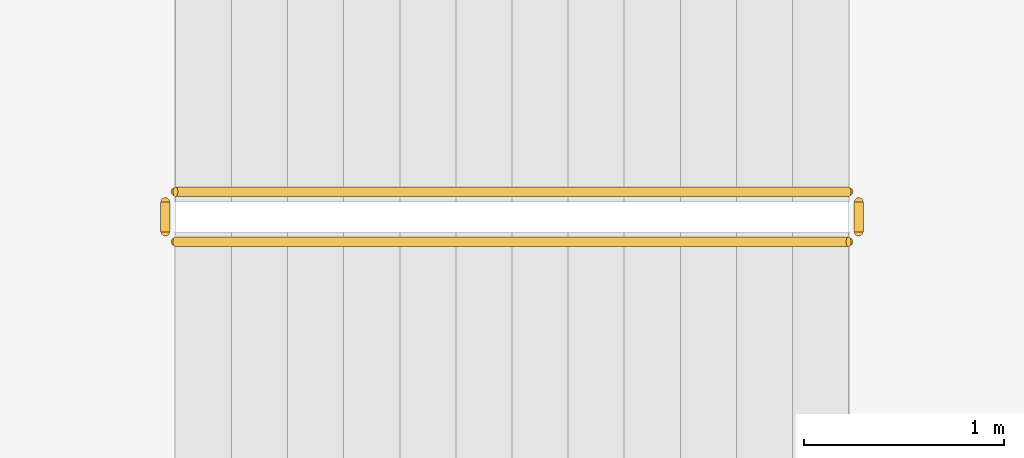
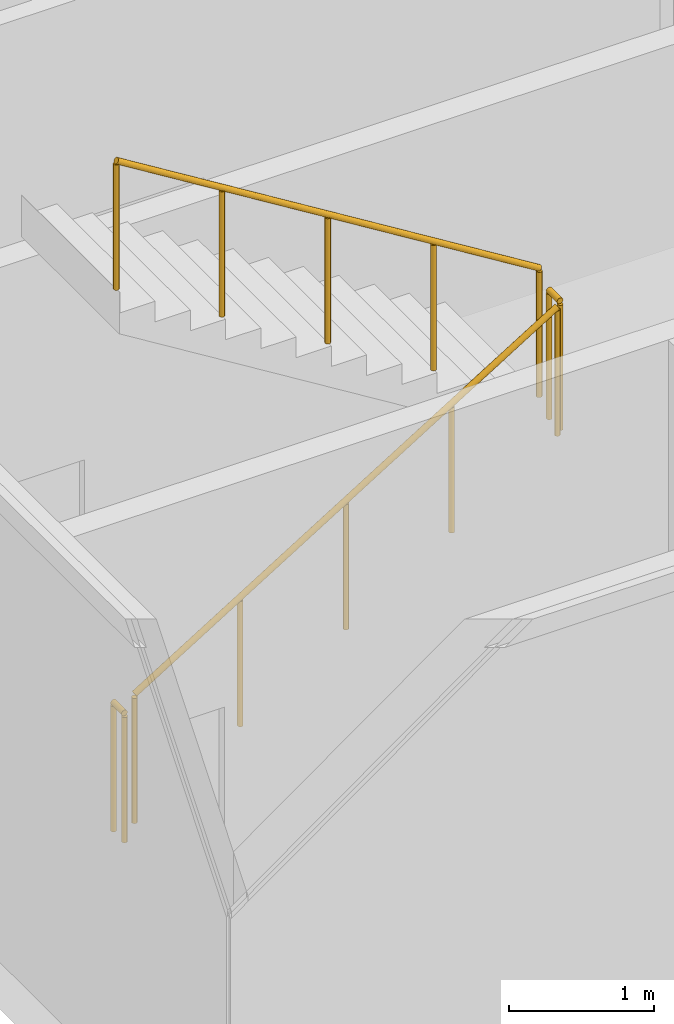
# One storey, part 12 of 15: 4 railings.
"""IFC4 building model written with IfcOpenShell, lengths in metres."""

from ifc_helpers import new_model, si_unit, direction, frame, origin, origin_2d, place, context, subcontext, project, spatial, circle, extrude, material, type_object, element, save


model = new_model("IFC4")

# Units and contexts
model_context = context("Model", 3, precision=1e-05, world=origin(), true_north=direction((0.0, 1.0)))
body_context = subcontext(model_context, "Body", "Model", "MODEL_VIEW")
ifc_project = project(units=[si_unit("LENGTHUNIT", "METRE"), si_unit("AREAUNIT", "SQUARE_METRE"), si_unit("VOLUMEUNIT", "CUBIC_METRE"), si_unit("PLANEANGLEUNIT", "RADIAN"), si_unit("MASSUNIT", "GRAM", prefix="KILO")], contexts=[model_context])

# Site, building, storey
site_placement = place(None, origin())
site = spatial("IfcSite", under=ifc_project, at=site_placement, CompositionType="ELEMENT")
building_placement = place(site_placement, origin())
building = spatial("IfcBuilding", under=site, at=building_placement, Name="Kawkab Arch Medical Tower", CompositionType="ELEMENT")
storey_placement = place(building_placement, frame((0.0, 0.0, 332.199951171875)))
storey = spatial("IfcBuildingStorey", under=building, at=storey_placement, Name="L77", CompositionType="ELEMENT", Elevation=332.199951171875)

# Railings
ifc_material = material(Name="Stainless steel", Category="steel")
railing_type = type_object("IfcRailingType", Name="Stair guard 1100", PredefinedType="GUARDRAIL", material=ifc_material)
railing_1_placement = place(storey_placement, frame((1.800048828125, -36.14990234375, 0.173095703125)))
element("IfcRailing", 1, at=railing_1_placement, inside=storey, type_object=railing_type, Name="L77 ST6 stair guard 1", PredefinedType="GUARDRAIL", context=body_context, shape_type="SweptSolid", body=[
    extrude(circle(Radius=0.02392578125, at=origin_2d()), frame((0.0, 0.0, 1.076171875), z_axis=(0.850606129759, 0.0, 0.525803396734), x_axis=(0.0, 1.0, 0.0)), (0.0, 0.0, 1.0), 3.949951171875),
    extrude(circle(Radius=0.02099609375, at=origin_2d()), origin(), (0.0, 0.0, 1.0), 1.052001953125),
    extrude(circle(Radius=0.02099609375, at=origin_2d()), frame((0.83984375, 0.0, 0.519287109375)), (0.0, 0.0, 1.0), 1.052001953125),
    extrude(circle(Radius=0.02099609375, at=origin_2d()), frame((1.679931640625, 0.0, 1.03857421875)), (0.0, 0.0, 1.0), 1.052001953125),
    extrude(circle(Radius=0.02099609375, at=origin_2d()), frame((2.52001953125, 0.0, 1.5576171875)), (0.0, 0.0, 1.0), 1.052001953125),
    extrude(circle(Radius=0.02099609375, at=origin_2d()), frame((3.35986328125, 0.0, 2.076904296875)), (0.0, 0.0, 1.0), 1.052001953125),
])
railing_2_placement = place(storey_placement, frame((5.2099609375, -36.10009765625, 2.25)))
element("IfcRailing", 2, at=railing_2_placement, inside=storey, type_object=railing_type, Name="L77 ST6 stair guard 2", PredefinedType="GUARDRAIL", context=body_context, shape_type="SweptSolid", body=[
    extrude(circle(Radius=0.02392578125, at=origin_2d()), frame((0.0, 0.0, 1.076171875), z_axis=(0.0, 1.0, 0.0), x_axis=(-1.0, 0.0, 0.0)), (0.0, 0.0, 1.0), 0.150146484375),
    extrude(circle(Radius=0.02099609375, at=origin_2d()), origin(), (0.0, 0.0, 1.0), 1.052001953125),
    extrude(circle(Radius=0.02099609375, at=origin_2d()), frame((0.0, 0.150146484375, 0.0)), (0.0, 0.0, 1.0), 1.052001953125),
])
railing_3_placement = place(storey_placement, frame((5.159912109375, -35.89990234375, 2.423095703125)))
element("IfcRailing", 3, at=railing_3_placement, inside=storey, type_object=railing_type, Name="L77 ST6 stair guard 3", PredefinedType="GUARDRAIL", context=body_context, shape_type="SweptSolid", body=[
    extrude(circle(Radius=0.02392578125, at=origin_2d()), frame((0.0, 0.0, 1.076171875), z_axis=(-0.850606129759, 0.0, 0.525803396734), x_axis=(0.0, -1.0, 0.0)), (0.0, 0.0, 1.0), 3.949951171875),
    extrude(circle(Radius=0.02099609375, at=origin_2d()), origin(), (0.0, 0.0, 1.0), 1.052001953125),
    extrude(circle(Radius=0.02099609375, at=origin_2d()), frame((-0.83984375, 0.0, 0.519287109375)), (0.0, 0.0, 1.0), 1.052001953125),
    extrude(circle(Radius=0.02099609375, at=origin_2d()), frame((-1.679931640625, 0.0, 1.03857421875)), (0.0, 0.0, 1.0), 1.052001953125),
    extrude(circle(Radius=0.02099609375, at=origin_2d()), frame((-2.52001953125, 0.0, 1.5576171875)), (0.0, 0.0, 1.0), 1.052001953125),
    extrude(circle(Radius=0.02099609375, at=origin_2d()), frame((-3.35986328125, 0.0, 2.076904296875)), (0.0, 0.0, 1.0), 1.052001953125),
])
railing_4_placement = place(storey_placement, frame((1.75, -36.10009765625, 0.0)))
element("IfcRailing", 4, at=railing_4_placement, inside=storey, type_object=railing_type, Name="L77 ST6 stair guard 4", PredefinedType="GUARDRAIL", context=body_context, shape_type="SweptSolid", body=[
    extrude(circle(Radius=0.02392578125, at=origin_2d()), frame((0.0, 0.0, 1.076171875), z_axis=(0.0, 1.0, 0.0), x_axis=(-1.0, 0.0, 0.0)), (0.0, 0.0, 1.0), 0.150146484375),
    extrude(circle(Radius=0.02099609375, at=origin_2d()), origin(), (0.0, 0.0, 1.0), 1.052001953125),
    extrude(circle(Radius=0.02099609375, at=origin_2d()), frame((0.0, 0.150146484375, 0.0)), (0.0, 0.0, 1.0), 1.052001953125),
])

save(model, "model.ifc")
